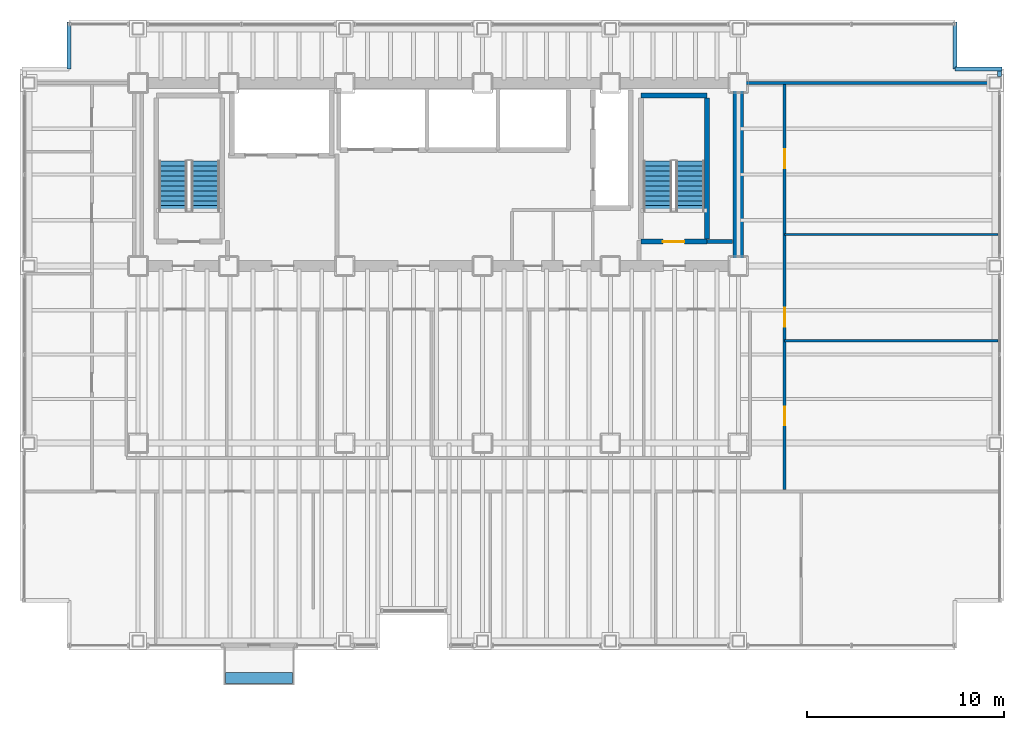
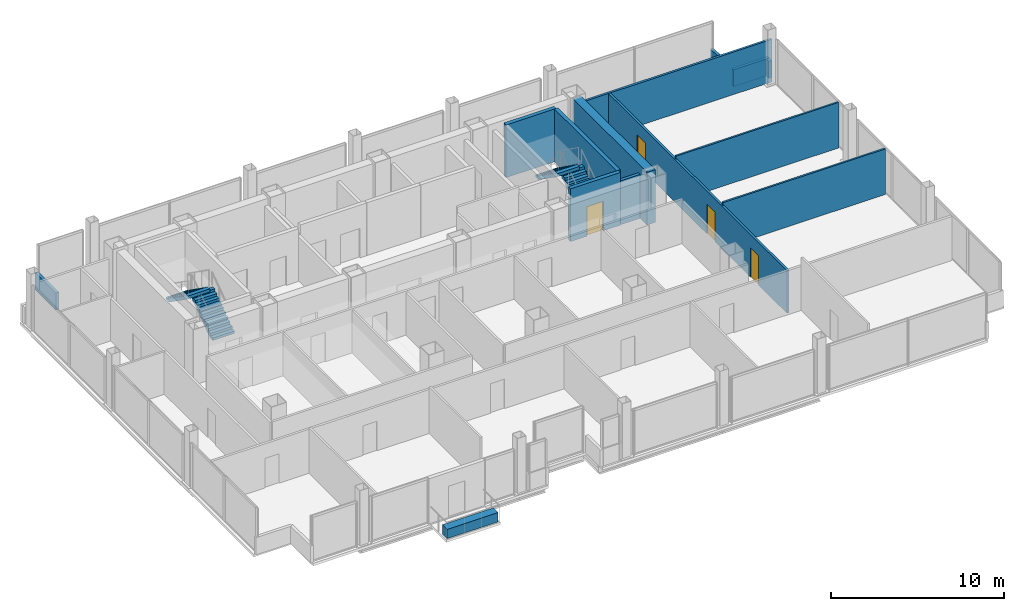
# One storey, part 20 of 21: 13 walls, 4 doors, 4 stair flights, 1 discrete accessory, 4 openings, 2 elements without a shape of their own.
"""IFC4 building model written with IfcOpenShell, lengths in metres."""

from ifc_helpers import new_model, si_unit, direction, frame, frame_2d, origin, origin_2d, place, context, subcontext, project, spatial, polyline, rectangle, outline, extrude, material, layer, layer_set, type_object, element, fill, aggregate, save


model = new_model("IFC4")

# Units and contexts
model_context = context("Model", 3, precision=1e-05, world=origin(), true_north=direction((0.0, 1.0)))
body_context = subcontext(model_context, "Body", "Model", "MODEL_VIEW")
ifc_project = project(units=[si_unit("LENGTHUNIT", "METRE"), si_unit("AREAUNIT", "SQUARE_METRE"), si_unit("VOLUMEUNIT", "CUBIC_METRE"), si_unit("PLANEANGLEUNIT", "RADIAN"), si_unit("MASSUNIT", "GRAM", prefix="KILO")], contexts=[model_context])

# Site, building, storey
site_placement = place(None, origin())
site = spatial("IfcSite", under=ifc_project, at=site_placement, CompositionType="ELEMENT")
building_placement = place(site_placement, origin())
building = spatial("IfcBuilding", under=site, at=building_placement, Name="Noeulbin Bourse Tower", CompositionType="ELEMENT")
storey_placement = place(building_placement, frame((0.0, 0.0, 92.800048828125)))
storey = spatial("IfcBuildingStorey", under=building, at=storey_placement, Name="L23", CompositionType="ELEMENT", Elevation=92.800048828125)

# Walls
ifc_material_1 = material(Name="Concrete C60/75", Category="concrete")
ifc_layer_1 = layer(ifc_material_1, 0.550048828125)
ifc_layer_set_1 = layer_set([ifc_layer_1], Name="Concrete C60/75")
wall_type_1 = type_object("IfcWallType", Name="WAL-CORE-550", PredefinedType="SHEAR", material=ifc_layer_set_1)
wall_1_placement = place(storey_placement, frame((44.0, 29.35009765625, 0.0), z_axis=(0.0, 0.0, 1.0), x_axis=(0.0, 1.0, 0.0)))
element("IfcWall", 1, at=wall_1_placement, inside=storey, type_object=wall_type_1, Name="Rear Core East Shear Wall L23", PredefinedType="SHEAR", context=body_context, shape_type="SweptSolid", body=[
    extrude(rectangle(XDim=8.599853515625, YDim=0.550048828125, at=frame_2d((4.2998046875, 0.0))), origin(), (0.0, 0.0, 1.0), 3.719970703125),
])
ifc_material_2 = material(Name="Concrete C40/50", Category="concrete")
ifc_layer_2 = layer(ifc_material_2, 0.199951171875)
ifc_layer_set_2 = layer_set([ifc_layer_2], Name="Concrete C40/50")
wall_type_2 = type_object("IfcWallType", Name="WAL-FIRE-200", PredefinedType="STANDARD", material=ifc_layer_set_2)
wall_2_placement = place(storey_placement, frame((42.39990234375, 30.239990234375, 0.0), z_axis=(0.0, 0.0, 1.0), x_axis=(1.0, 0.0, 0.0)))
element("IfcWall", 2, at=wall_2_placement, inside=storey, type_object=wall_type_2, Name="Interior Partition Wall L23-01", PredefinedType="STANDARD", context=body_context, shape_type="SweptSolid", body=[
    extrude(rectangle(XDim=1.315185546875, YDim=0.199951171875, at=frame_2d((0.65771484375, 0.0))), origin(), (0.0, 0.0, 1.0), 3.099853515625),
])
ifc_layer_3 = layer(ifc_material_2, 0.199951171875)
ifc_layer_set_3 = layer_set([ifc_layer_3], Name="Concrete C40/50")
wall_type_3 = type_object("IfcWallType", Name="WAL-PAR-200", PredefinedType="PARAPET", material=ifc_layer_set_3)
wall_3_placement = place(storey_placement, frame((57.280029296875, 38.6201171875, 0.0), z_axis=(0.0, 0.0, 1.0), x_axis=(0.0, 1.0, 0.0)))
element("IfcWall", 3, at=wall_3_placement, inside=storey, type_object=wall_type_3, Name="Perimeter Pier Spandrel Parapet L23-E2", PredefinedType="PARAPET", context=body_context, shape_type="SweptSolid", body=[
    extrude(rectangle(XDim=0.27978515625, YDim=0.199951171875, at=frame_2d((0.139892578125, 0.0))), origin(), (0.0, 0.0, 1.0), 1.199951171875),
])
for number, where, z_axis, x_axis, name in (
    (4, (10.0, 39.0, 0.0), (0.0, 0.0, 1.0), (0.0, 1.0, 0.0), "Corner Notch Parapet L23-NW2"),
    (5, (55.0, 41.39990234375, 0.0), (0.0, 0.0, 1.0), (0.0, -1.0, 0.0), "Corner Notch Parapet L23-NE1"),
    (6, (55.0, 39.0, 0.0), (0.0, 0.0, 1.0), (1.0, 0.0, 0.0), "Corner Notch Parapet L23-NE2"),
):
    element("IfcWall", number, at=place(storey_placement, frame(where, z_axis=z_axis, x_axis=x_axis)), inside=storey, type_object=wall_type_3, Name=name, PredefinedType="PARAPET", context=body_context, shape_type="SweptSolid", body=[
        extrude(rectangle(XDim=2.39990234375, YDim=0.199951171875, at=frame_2d((1.199951171875, 0.0))), origin(), (0.0, 0.0, 1.0), 1.199951171875),
    ])
ifc_material_3 = material(Name="Steel Stud Gypsum Partition", Category="steel")
ifc_layer_4 = layer(ifc_material_3, 0.1201171875)
ifc_layer_set_4 = layer_set([ifc_layer_4], Name="Steel Stud Gypsum Partition")
wall_type_4 = type_object("IfcWallType", Name="WAL-PRT-120", PredefinedType="PARTITIONING", material=ifc_layer_set_4)
for number, where, z_axis, x_axis, name in (
    (7, (46.35009765625, 25.199951171875, 0.0), (0.0, 0.0, 1.0), (1.0, 0.0, 0.0), "Interior Partition Wall L23-11"),
    (8, (46.35009765625, 30.60009765625, 0.0), (0.0, 0.0, 1.0), (1.0, 0.0, 0.0), "Interior Partition Wall L23-12"),
):
    element("IfcWall", number, at=place(storey_placement, frame(where, z_axis=z_axis, x_axis=x_axis)), inside=storey, type_object=wall_type_4, Name=name, PredefinedType="PARTITIONING", context=body_context, shape_type="SweptSolid", body=[
        extrude(rectangle(XDim=10.83984375, YDim=0.1201171875, at=frame_2d((5.419921875, 0.0))), origin(), (0.0, 0.0, 1.0), 3.2119140625),
    ])
ifc_material_4 = material(Name="Steel Stud Acoustic Gypsum Board", Category="steel")
ifc_layer_5 = layer(ifc_material_4, 0.14990234375)
ifc_layer_set_5 = layer_set([ifc_layer_5], Name="Steel Stud Acoustic Gypsum Board")
wall_type_5 = type_object("IfcWallType", Name="WAL-PRT-150", PredefinedType="PARTITIONING", material=ifc_layer_set_5)
wall_4_placement = place(storey_placement, frame((44.0, 38.300048828125, 0.0), z_axis=(0.0, 0.0, 1.0), x_axis=(1.0, 0.0, 0.0)))
element("IfcWall", 9, at=wall_4_placement, inside=storey, type_object=wall_type_5, Name="Interior Partition Wall L23-08", PredefinedType="PARTITIONING", context=body_context, shape_type="SweptSolid", body=[
    extrude(rectangle(XDim=13.18994140625, YDim=0.14990234375, at=frame_2d((6.594970703125, 0.0))), origin(), (0.0, 0.0, 1.0), 3.0),
])

# Wall, openings, doors
wall_5_placement = place(storey_placement, frame((46.35009765625, 17.635009765625, 0.0), z_axis=(0.0, 0.0, 1.0), x_axis=(0.0, 1.0, 0.0)))
wall_5 = element("IfcWall", 10, at=wall_5_placement, inside=storey, type_object=wall_type_5, Name="Interior Partition Wall L23-23", PredefinedType="PARTITIONING", context=body_context, shape_type="SweptSolid", body=[
    extrude(rectangle(XDim=20.580078125, YDim=0.14990234375, at=frame_2d((10.2900390625, 0.0))), origin(), (0.0, 0.0, 1.0), 3.0),
])
opening_1_placement = place(wall_5_placement, frame((3.264892578125, 0.0, 0.0)))
opening_1 = element("IfcOpeningElement", 11, at=opening_1_placement, cuts=wall_5, Name="Opening ID-09", PredefinedType="OPENING", context=body_context, shape_type="SweptSolid", body=[
    extrude(rectangle(XDim=0.949951171875, YDim=2.080078125, at=frame_2d((0.47509765625, 1.0400390625))), frame((0.0, 0.0849609375, 0.0), z_axis=(0.0, -1.0, 0.0), x_axis=(1.0, 0.0, 0.0)), (0.0, 0.0, 1.0), 0.169921875),
])
opening_2_placement = place(wall_5_placement, frame((8.2900390625, 0.0, 0.0)))
opening_2 = element("IfcOpeningElement", 12, at=opening_2_placement, cuts=wall_5, Name="Opening ID-09", PredefinedType="OPENING", context=body_context, shape_type="SweptSolid", body=[
    extrude(rectangle(XDim=0.949951171875, YDim=2.080078125, at=frame_2d((0.47509765625, 1.0400390625))), frame((0.0, 0.0849609375, 0.0), z_axis=(0.0, -1.0, 0.0), x_axis=(1.0, 0.0, 0.0)), (0.0, 0.0, 1.0), 0.169921875),
])
opening_3_placement = place(wall_5_placement, frame((16.340087890625, 0.0, 0.0)))
opening_3 = element("IfcOpeningElement", 13, at=opening_3_placement, cuts=wall_5, Name="Opening ID-09", PredefinedType="OPENING", context=body_context, shape_type="SweptSolid", body=[
    extrude(rectangle(XDim=0.949951171875, YDim=2.080078125, at=frame_2d((0.47509765625, 1.0400390625))), frame((0.0, 0.0849609375, 0.0), z_axis=(0.0, -1.0, 0.0), x_axis=(1.0, 0.0, 0.0)), (0.0, 0.0, 1.0), 0.169921875),
])
ifc_material_5 = material(Name="Acoustic Solid-Core Timber", Category="wood")
door_type_1 = type_object("IfcDoorType", Name="DR-SINGLE-950", OperationType="SINGLE_SWING_LEFT", PredefinedType="DOOR", material=ifc_material_5)
door_1_placement = place(opening_1_placement, origin())
door_1 = element("IfcDoor", 14, at=door_1_placement, inside=storey, type_object=door_type_1, Name="Interior Door L23-23", OperationType="SINGLE_SWING_LEFT", OverallHeight=2.080078125, OverallWidth=0.949951171875, PredefinedType="DOOR", context=body_context, shape_type="SweptSolid", body=[
    extrude(rectangle(XDim=0.949951171875, YDim=2.080078125, at=frame_2d((0.47509765625, 1.0400390625))), frame((0.0, 0.02490234375, 0.0), z_axis=(0.0, -1.0, 0.0), x_axis=(1.0, 0.0, 0.0)), (0.0, 0.0, 1.0), 0.050048828125),
])
fill(opening_1, door_1)
door_2_placement = place(opening_2_placement, origin())
door_2 = element("IfcDoor", 15, at=door_2_placement, inside=storey, type_object=door_type_1, Name="Interior Door L23-24", OperationType="SINGLE_SWING_RIGHT", OverallHeight=2.080078125, OverallWidth=0.949951171875, PredefinedType="DOOR", context=body_context, shape_type="SweptSolid", body=[
    extrude(rectangle(XDim=0.949951171875, YDim=2.080078125, at=frame_2d((0.47509765625, 1.0400390625))), frame((0.0, 0.02490234375, 0.0), z_axis=(0.0, -1.0, 0.0), x_axis=(1.0, 0.0, 0.0)), (0.0, 0.0, 1.0), 0.050048828125),
])
fill(opening_2, door_2)
door_3_placement = place(opening_3_placement, origin())
door_3 = element("IfcDoor", 16, at=door_3_placement, inside=storey, type_object=door_type_1, Name="Interior Door L23-25", OperationType="SINGLE_SWING_LEFT", OverallHeight=2.080078125, OverallWidth=0.949951171875, PredefinedType="DOOR", context=body_context, shape_type="SweptSolid", body=[
    extrude(rectangle(XDim=0.949951171875, YDim=2.080078125, at=frame_2d((0.47509765625, 1.0400390625))), frame((0.0, 0.02490234375, 0.0), z_axis=(0.0, -1.0, 0.0), x_axis=(1.0, 0.0, 0.0)), (0.0, 0.0, 1.0), 0.050048828125),
])
fill(opening_3, door_3)

# Wall, opening, door
ifc_layer_6 = layer(ifc_material_2, 0.25)
ifc_layer_set_6 = layer_set([ifc_layer_6], Name="Concrete C40/50")
wall_type_6 = type_object("IfcWallType", Name="WAL-SHFT-250", PredefinedType="STANDARD", material=ifc_layer_set_6)
wall_6_placement = place(storey_placement, frame((39.06005859375, 30.235107421875, 0.0), z_axis=(0.0, 0.0, 1.0), x_axis=(1.0, 0.0, 0.0)))
wall_6 = element("IfcWall", 17, at=wall_6_placement, inside=storey, type_object=wall_type_6, Name="Stair ST-2 South Shaft Wall L23", PredefinedType="STANDARD", context=body_context, shape_type="SweptSolid", body=[
    extrude(rectangle(XDim=3.33984375, YDim=0.25, at=frame_2d((1.669921875, 0.0))), origin(), (0.0, 0.0, 1.0), 3.719970703125),
])
opening_4_placement = place(wall_6_placement, frame((1.10009765625, 0.0, 0.0)))
opening_4 = element("IfcOpeningElement", 18, at=opening_4_placement, cuts=wall_6, Name="Opening FD-11", PredefinedType="OPENING", context=body_context, shape_type="SweptSolid", body=[
    extrude(rectangle(XDim=1.10009765625, YDim=2.080078125, at=frame_2d((0.550048828125, 1.0400390625))), frame((0.0, 0.135009765625, 0.0), z_axis=(0.0, -1.0, 0.0), x_axis=(1.0, 0.0, 0.0)), (0.0, 0.0, 1.0), 0.27001953125),
])
ifc_material_6 = material(Name="Fire-Rated Insulated Steel", Category="steel")
door_type_2 = type_object("IfcDoorType", Name="DR-FD60-1100", OperationType="SINGLE_SWING_LEFT", PredefinedType="DOOR", material=ifc_material_6)
door_4_placement = place(opening_4_placement, origin())
door_4 = element("IfcDoor", 19, at=door_4_placement, inside=storey, type_object=door_type_2, Name="Protected Stair Entry Door ST2-L23", OperationType="SINGLE_SWING_RIGHT", OverallHeight=2.080078125, OverallWidth=1.10009765625, PredefinedType="DOOR", context=body_context, shape_type="SweptSolid", body=[
    extrude(rectangle(XDim=1.10009765625, YDim=2.080078125, at=frame_2d((0.550048828125, 1.0400390625))), frame((0.0, 0.02490234375, 0.0), z_axis=(0.0, -1.0, 0.0), x_axis=(1.0, 0.0, 0.0)), (0.0, 0.0, 1.0), 0.050048828125),
])
fill(opening_4, door_4)

# Walls
wall_7_placement = place(storey_placement, frame((39.06005859375, 37.6689453125, 0.0), z_axis=(0.0, 0.0, 1.0), x_axis=(1.0, 0.0, 0.0)))
element("IfcWall", 20, at=wall_7_placement, inside=storey, type_object=wall_type_6, Name="Stair ST-2 North Shaft Wall L23", PredefinedType="STANDARD", context=body_context, shape_type="SweptSolid", body=[
    extrude(rectangle(XDim=3.33984375, YDim=0.25, at=frame_2d((1.669921875, 0.0))), origin(), (0.0, 0.0, 1.0), 3.719970703125),
])
wall_8_placement = place(storey_placement, frame((42.405029296875, 30.360107421875, 0.0), z_axis=(0.0, 0.0, 1.0), x_axis=(0.0, 1.0, 0.0)))
element("IfcWall", 21, at=wall_8_placement, inside=storey, type_object=wall_type_6, Name="Stair ST-2 East Shaft Wall L23", PredefinedType="STANDARD", context=body_context, shape_type="SweptSolid", body=[
    extrude(rectangle(XDim=7.183837890625, YDim=0.25, at=frame_2d((3.591796875, 0.0))), origin(), (0.0, 0.0, 1.0), 3.719970703125),
])

# Stair, stair flights
stair_type = type_object("IfcStairType", Name="STR-CORE-1560", PredefinedType="HALF_TURN_STAIR", material=ifc_material_2)
stair_1_placement = place(storey_placement, origin())
stair_1 = element("IfcStair", 22, at=stair_1_placement, inside=storey, type_object=stair_type, Name="L23 ST-1", PredefinedType="HALF_TURN_STAIR")
stair_flight_type = type_object("IfcStairFlightType", Name="SFL-CORE-1560", PredefinedType="STRAIGHT", material=ifc_material_2)
stair_flight_1_placement = place(storey_placement, frame((16.925048828125, 31.81005859375, 0.0), z_axis=(0.0, 0.0, 1.0), x_axis=(0.0, 1.0, 0.0)))
stair_flight_1 = element("IfcStairFlight", 23, at=stair_flight_1_placement, type_object=stair_flight_type, Name="ST-1 flight 1", NumberOfRisers=11, NumberOfTreads=10, PredefinedType="STRAIGHT", RiserHeight=0.177272727, TreadLength=0.252, context=body_context, shape_type="SweptSolid", body=[
    extrude(outline(polyline([(0.0, 0.0), (0.0, 0.17724609375), (0.251953125, 0.17724609375), (0.251953125, 0.3544921875), (0.50390625, 0.3544921875), (0.50390625, 0.53173828125), (0.756103515625, 0.53173828125), (0.756103515625, 0.708984375), (1.008056640625, 0.708984375), (1.008056640625, 0.886474609375), (1.260009765625, 0.886474609375), (1.260009765625, 1.063720703125), (1.511962890625, 1.063720703125), (1.511962890625, 1.240966796875), (1.763916015625, 1.240966796875), (1.763916015625, 1.418212890625), (2.01611328125, 1.418212890625), (2.01611328125, 1.595458984375), (2.26806640625, 1.595458984375), (2.26806640625, 1.772705078125), (2.52001953125, 1.772705078125), (2.52001953125, 1.949951171875), (2.52001953125, 1.552734375), (0.312744140625, 0.0), (0.0, 0.0)])), frame((0.0, 0.72509765625, 0.0), z_axis=(0.0, -1.0, 0.0), x_axis=(1.0, 0.0, 0.0)), (0.0, 0.0, 1.0), 1.449951171875),
])
stair_flight_2_placement = place(storey_placement, frame((15.27490234375, 34.330078125, 1.949951171875), z_axis=(0.0, 0.0, 1.0), x_axis=(0.0, -1.0, 0.0)))
stair_flight_2 = element("IfcStairFlight", 24, at=stair_flight_2_placement, type_object=stair_flight_type, Name="ST-1 flight 2", NumberOfRisers=11, NumberOfTreads=10, PredefinedType="STRAIGHT", RiserHeight=0.177272727, TreadLength=0.252, context=body_context, shape_type="SweptSolid", body=[
    extrude(outline(polyline([(0.0, 0.0), (0.0, 0.17724609375), (0.251953125, 0.17724609375), (0.251953125, 0.3544921875), (0.50390625, 0.3544921875), (0.50390625, 0.53173828125), (0.756103515625, 0.53173828125), (0.756103515625, 0.708984375), (1.008056640625, 0.708984375), (1.008056640625, 0.886474609375), (1.260009765625, 0.886474609375), (1.260009765625, 1.063720703125), (1.511962890625, 1.063720703125), (1.511962890625, 1.240966796875), (1.763916015625, 1.240966796875), (1.763916015625, 1.418212890625), (2.01611328125, 1.418212890625), (2.01611328125, 1.595458984375), (2.26806640625, 1.595458984375), (2.26806640625, 1.772705078125), (2.52001953125, 1.772705078125), (2.52001953125, 1.949951171875), (2.52001953125, 1.552734375), (0.312744140625, 0.0), (0.0, 0.0)])), frame((0.0, 0.72509765625, 0.0), z_axis=(0.0, -1.0, 0.0), x_axis=(1.0, 0.0, 0.0)), (0.0, 0.0, 1.0), 1.449951171875),
])
aggregate(stair_1, [stair_flight_1, stair_flight_2])

stair_2_placement = place(storey_placement, origin())
stair_2 = element("IfcStair", 25, at=stair_2_placement, inside=storey, type_object=stair_type, Name="L23 ST-2", PredefinedType="HALF_TURN_STAIR")
stair_flight_3_placement = place(storey_placement, frame((41.554931640625, 31.81005859375, 0.0), z_axis=(0.0, 0.0, 1.0), x_axis=(0.0, 1.0, 0.0)))
stair_flight_3 = element("IfcStairFlight", 26, at=stair_flight_3_placement, type_object=stair_flight_type, Name="ST-2 flight 1", NumberOfRisers=11, NumberOfTreads=10, PredefinedType="STRAIGHT", RiserHeight=0.177272727, TreadLength=0.252, context=body_context, shape_type="SweptSolid", body=[
    extrude(outline(polyline([(0.0, 0.0), (0.0, 0.17724609375), (0.251953125, 0.17724609375), (0.251953125, 0.3544921875), (0.50390625, 0.3544921875), (0.50390625, 0.53173828125), (0.756103515625, 0.53173828125), (0.756103515625, 0.708984375), (1.008056640625, 0.708984375), (1.008056640625, 0.886474609375), (1.260009765625, 0.886474609375), (1.260009765625, 1.063720703125), (1.511962890625, 1.063720703125), (1.511962890625, 1.240966796875), (1.763916015625, 1.240966796875), (1.763916015625, 1.418212890625), (2.01611328125, 1.418212890625), (2.01611328125, 1.595458984375), (2.26806640625, 1.595458984375), (2.26806640625, 1.772705078125), (2.52001953125, 1.772705078125), (2.52001953125, 1.949951171875), (2.52001953125, 1.552734375), (0.312744140625, 0.0), (0.0, 0.0)])), frame((0.0, 0.72509765625, 0.0), z_axis=(0.0, -1.0, 0.0), x_axis=(1.0, 0.0, 0.0)), (0.0, 0.0, 1.0), 1.449951171875),
])
stair_flight_4_placement = place(storey_placement, frame((39.905029296875, 34.330078125, 1.949951171875), z_axis=(0.0, 0.0, 1.0), x_axis=(0.0, -1.0, 0.0)))
stair_flight_4 = element("IfcStairFlight", 27, at=stair_flight_4_placement, type_object=stair_flight_type, Name="ST-2 flight 2", NumberOfRisers=11, NumberOfTreads=10, PredefinedType="STRAIGHT", RiserHeight=0.177272727, TreadLength=0.252, context=body_context, shape_type="SweptSolid", body=[
    extrude(outline(polyline([(0.0, 0.0), (0.0, 0.17724609375), (0.251953125, 0.17724609375), (0.251953125, 0.3544921875), (0.50390625, 0.3544921875), (0.50390625, 0.53173828125), (0.756103515625, 0.53173828125), (0.756103515625, 0.708984375), (1.008056640625, 0.708984375), (1.008056640625, 0.886474609375), (1.260009765625, 0.886474609375), (1.260009765625, 1.063720703125), (1.511962890625, 1.063720703125), (1.511962890625, 1.240966796875), (1.763916015625, 1.240966796875), (1.763916015625, 1.418212890625), (2.01611328125, 1.418212890625), (2.01611328125, 1.595458984375), (2.26806640625, 1.595458984375), (2.26806640625, 1.772705078125), (2.52001953125, 1.772705078125), (2.52001953125, 1.949951171875), (2.52001953125, 1.552734375), (0.312744140625, 0.0), (0.0, 0.0)])), frame((0.0, 0.72509765625, 0.0), z_axis=(0.0, -1.0, 0.0), x_axis=(1.0, 0.0, 0.0)), (0.0, 0.0, 1.0), 1.449951171875),
])
aggregate(stair_2, [stair_flight_3, stair_flight_4])

# Discrete accessory
ifc_material_7 = material(Name="Architectural GFRC Concrete C40/50", Category="concrete")
ifc_layer_7 = layer(ifc_material_7, 0.64990234375)
ifc_layer_set_7 = layer_set([ifc_layer_7], Name="Architectural GFRC Concrete C40/50")
discrete_accessory_type = type_object("IfcDiscreteAccessoryType", Name="PLANTER-BOX-3600", PredefinedType="USERDEFINED", material=ifc_layer_set_7)
discrete_accessory_placement = place(storey_placement, frame((19.64990234375, 8.06005859375, 0.0), z_axis=(0.0, 0.0, 1.0), x_axis=(1.0, 0.0, 0.0)))
element("IfcDiscreteAccessory", 28, at=discrete_accessory_placement, inside=storey, type_object=discrete_accessory_type, Name="Integrated Balcony Tree Planter Box L23", ObjectType="PLANTER", PredefinedType="USERDEFINED", context=body_context, shape_type="SweptSolid", body=[
    extrude(rectangle(XDim=3.39990234375, YDim=0.550048828125, at=origin_2d()), origin(), (0.0, 0.0, 1.0), 0.64990234375),
])

save(model, "model.ifc")
